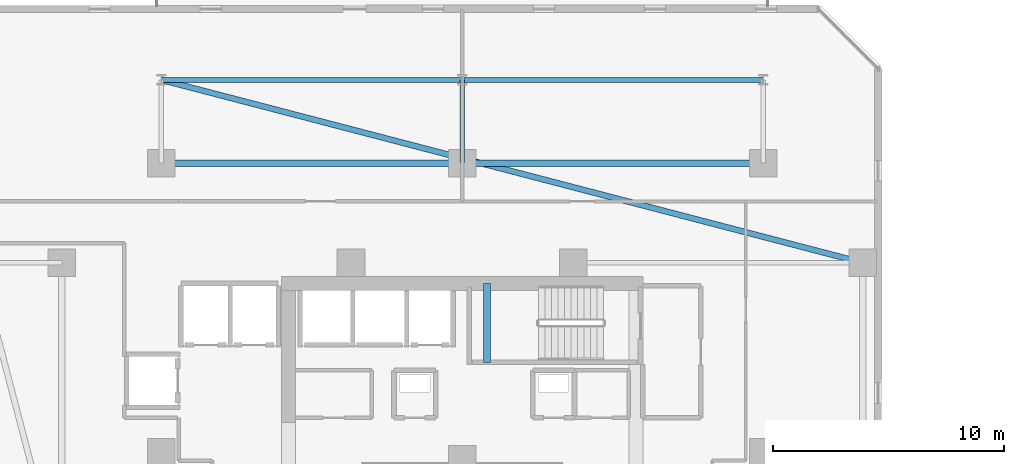
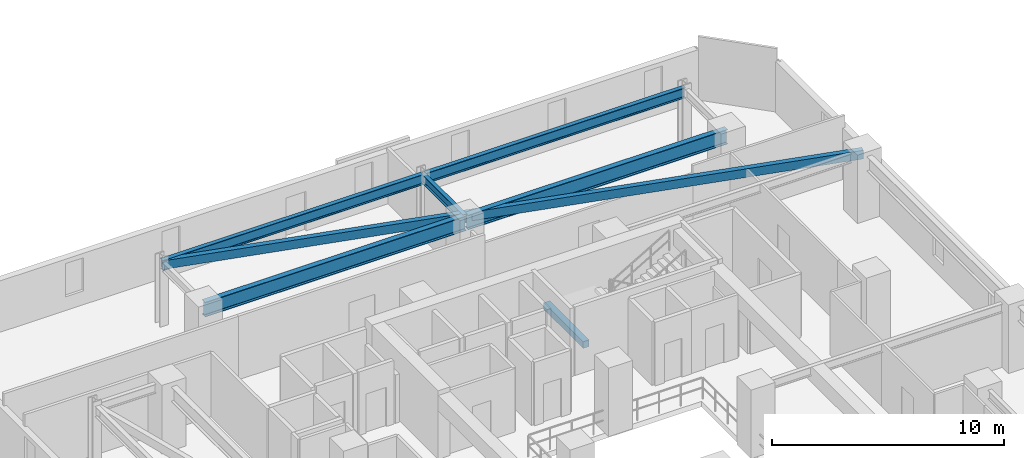
# One storey, part 8 of 33: 7 beams.
"""IFC4 building model written with IfcOpenShell, lengths in metres."""

import ifcopenshell
import ifcopenshell.guid

model = None  # the IFC model being written
_history = None  # IfcOwnerHistory: only IFC2X3 demands one
_inside = {}  # id of a spatial element -> (the spatial element, [elements in it])
_under = {}  # id of a project, library or spatial element -> (it, [spatial elements below it])
_declared = {}  # id of a project -> (the project, [libraries it declares])
_typed = {}  # id of a type object -> (the type object, [elements of that type])
_made_of = {}  # id of a material, layer set ... -> (it, [elements and type objects made of it])


def new_model(schema):
    """Start an empty IFC model of exactly this schema.

    Asked for "IFC4X3", IfcOpenShell would pick the latest addendum, in which some entities
    have other attributes; the version numbers below select the first issue.
    IFC2X3 requires an IfcOwnerHistory on every rooted entity: one is made here for all.
    """
    global model, _history
    if schema == "IFC4X3":
        model = ifcopenshell.file(schema_version=(4, 3, 0, 0))
    else:
        model = ifcopenshell.file(schema=schema)
    _inside.clear()
    _under.clear()
    _declared.clear()
    _typed.clear()
    _made_of.clear()
    _history = None
    if model.schema == "IFC2X3":
        org = make("IfcOrganization", Name="unknown")
        user = make(
            "IfcPersonAndOrganization",
            ThePerson=make("IfcPerson", FamilyName="unknown"),
            TheOrganization=org,
        )
        app = make(
            "IfcApplication",
            ApplicationDeveloper=org,
            Version="unknown",
            ApplicationFullName="unknown",
            ApplicationIdentifier="unknown",
        )
        _history = make(
            "IfcOwnerHistory",
            OwningUser=user,
            OwningApplication=app,
            ChangeAction="ADDED",
            CreationDate=0,
        )
    return model


def make(cls, **values):
    """One entity of the class cls with the attributes given. An attribute that is None is left unset."""
    return model.create_entity(
        cls, **{name: value for name, value in values.items() if value is not None}
    )


def rooted(cls, **values):
    """An entity with a GlobalId (a new one), such as an element, a storey or a relation."""
    return make(cls, GlobalId=ifcopenshell.guid.new(), OwnerHistory=_history, **values)


def si_unit(unit_type, name, prefix=None):
    """IfcSIUnit, for example si_unit("LENGTHUNIT", "METRE", prefix="MILLI")."""
    return make("IfcSIUnit", UnitType=unit_type, Prefix=prefix, Name=name)


def assignment(units):
    """IfcUnitAssignment: the units of a project."""
    return None if units is None else make("IfcUnitAssignment", Units=units)


def point(xyz):
    """IfcCartesianPoint."""
    return None if xyz is None else make("IfcCartesianPoint", Coordinates=xyz)


def direction(xyz):
    """IfcDirection."""
    return None if xyz is None else make("IfcDirection", DirectionRatios=xyz)


def frame(location, z_axis=None, x_axis=None):
    """IfcAxis2Placement3D, a coordinate frame: its origin and axes. An axis left out is left unset."""
    return make(
        "IfcAxis2Placement3D",
        Location=point(location),
        Axis=direction(z_axis),
        RefDirection=direction(x_axis),
    )


def frame_2d(location, x_axis=None):
    """IfcAxis2Placement2D, a coordinate frame in the plane: its origin and x axis."""
    return make(
        "IfcAxis2Placement2D", Location=point(location), RefDirection=direction(x_axis)
    )


def origin():
    """The frame at (0, 0, 0) with its axes left unset."""
    return frame((0.0, 0.0, 0.0))


def origin_2d():
    """The frame at (0, 0) in the plane with its x axis left unset."""
    return frame_2d((0.0, 0.0))


def place(relative_to, where):
    """IfcLocalPlacement: puts the frame where relative to a parent placement (None: the world)."""
    return make(
        "IfcLocalPlacement", PlacementRelTo=relative_to, RelativePlacement=where
    )


def context(
    kind, dimensions, precision=None, world=None, true_north=None, identifier=None
):
    """IfcGeometricRepresentationContext, for example the 3D "Model" context."""
    return make(
        "IfcGeometricRepresentationContext",
        ContextIdentifier=identifier,
        ContextType=kind,
        CoordinateSpaceDimension=dimensions,
        Precision=precision,
        WorldCoordinateSystem=world,
        TrueNorth=true_north,
    )


def subcontext(parent, identifier, kind, view, scale=None):
    """IfcGeometricRepresentationSubContext, for example "Body" below "Model"."""
    return make(
        "IfcGeometricRepresentationSubContext",
        ContextIdentifier=identifier,
        ContextType=kind,
        ParentContext=parent,
        TargetScale=scale,
        TargetView=view,
    )


def project(units=None, contexts=None):
    """IfcProject with its units and contexts."""
    return rooted(
        "IfcProject",
        Name="project",
        RepresentationContexts=contexts,
        UnitsInContext=assignment(units),
    )


def spatial(cls, under=None, at=None, **own):
    """A site, building, storey or space (cls), placed at a placement, below another one or the project."""
    s = rooted(cls, ObjectPlacement=at, **own)
    if under is not None:
        _under.setdefault(under.id(), (under, []))[1].append(s)
    return s


def profile(cls, at=None, kind="AREA", **sizes):
    """A parametric profile (cls). Its sizes go by their IFC names, for example OverallWidth=200.0."""
    return make(cls, ProfileType=kind, Position=at, **sizes)


def rectangle(**sizes):
    """IfcRectangleProfileDef."""
    return profile("IfcRectangleProfileDef", **sizes)


def hollow_rectangle(**sizes):
    """IfcRectangleHollowProfileDef."""
    return profile("IfcRectangleHollowProfileDef", **sizes)


def i_section(**sizes):
    """IfcIShapeProfileDef."""
    return profile("IfcIShapeProfileDef", **sizes)


def extrude(swept, where, along, depth):
    """IfcExtrudedAreaSolid: the profile swept, set in the frame where, extruded along a direction by depth."""
    return make(
        "IfcExtrudedAreaSolid",
        SweptArea=swept,
        Position=where,
        ExtrudedDirection=direction(along),
        Depth=depth,
    )


def shape(context_of_items, identifier, shape_type, items):
    """IfcShapeRepresentation: the items that make up one representation, for example the "Body"."""
    return make(
        "IfcShapeRepresentation",
        ContextOfItems=context_of_items,
        RepresentationIdentifier=identifier,
        RepresentationType=shape_type,
        Items=items,
    )


def material(Name=None, Category=None):
    """IfcMaterial."""
    return make("IfcMaterial", Name=Name, Category=Category)


def material_profile(
    of_material, cross_section, Name=None, Category=None, Priority=None
):
    """IfcMaterialProfile: a cross section and its material."""
    return make(
        "IfcMaterialProfile",
        Name=Name,
        Material=of_material,
        Profile=cross_section,
        Priority=Priority,
        Category=Category,
    )


def profile_set(profiles, Name=None, composite=None):
    """IfcMaterialProfileSet."""
    return make(
        "IfcMaterialProfileSet",
        Name=Name,
        MaterialProfiles=profiles,
        CompositeProfile=composite,
    )


def made_of(thing, what):
    """Note that an element or type object is made of a material, layer set ...; save() writes the relation."""
    if what is not None:
        _made_of.setdefault(what.id(), (what, []))[1].append(thing)
    return thing


def type_object(cls, material=None, **own):
    """A type object (cls), such as IfcWallType, which elements share."""
    return made_of(rooted(cls, **own), material)


def element(
    cls,
    number,
    at=None,
    inside=None,
    cuts=None,
    type_object=None,
    material=None,
    context=None,
    identifier="Body",
    shape_type=None,
    held_by="IfcProductDefinitionShape",
    body=None,
    shapes=None,
    **own,
):
    """One element of the class cls, such as IfcWall. Its Tag is "e" and its number.

    at: its placement. inside: the storey or other place that contains it. cuts: it is an
    opening in that element (IfcRelVoidsElement). A single representation is given by context,
    identifier, shape_type and body (its items); several are given by shapes. held_by: the class
    of the entity that holds the representations. save() writes the other relations.
    """
    e = rooted(cls, Tag="e%d" % number, ObjectPlacement=at, **own)
    if body is not None:
        shapes = [shape(context, identifier, shape_type, body)]
    if shapes is not None:
        e.Representation = make(held_by, Representations=shapes)
    if inside is not None:
        _inside.setdefault(inside.id(), (inside, []))[1].append(e)
    if cuts is not None:
        rooted(
            "IfcRelVoidsElement", RelatingBuildingElement=cuts, RelatedOpeningElement=e
        )
    if type_object is not None:
        _typed.setdefault(type_object.id(), (type_object, []))[1].append(e)
    return made_of(e, material)


def aggregate(whole, parts):
    """IfcRelAggregates: a whole, such as a stair, and the parts it consists of."""
    return rooted("IfcRelAggregates", RelatingObject=whole, RelatedObjects=parts)


def save(model, path):
    """Write the relations noted so far, then the file.

    IfcRelAggregates (storeys below a building ...), IfcRelContainedInSpatialStructure (elements
    in a storey), IfcRelDefinesByType, IfcRelAssociatesMaterial and IfcRelDeclares: one each for
    every whole, place, type object, material and project.
    """
    for whole, parts in _under.values():
        aggregate(whole, parts)
    for where, things in _inside.values():
        rooted(
            "IfcRelContainedInSpatialStructure",
            RelatedElements=things,
            RelatingStructure=where,
        )
    for kind, things in _typed.values():
        rooted("IfcRelDefinesByType", RelatedObjects=things, RelatingType=kind)
    for what, things in _made_of.values():
        rooted("IfcRelAssociatesMaterial", RelatedObjects=things, RelatingMaterial=what)
    for by, libraries in _declared.values():
        rooted("IfcRelDeclares", RelatingContext=by, RelatedDefinitions=libraries)
    model.write(path)


model = new_model("IFC4")

# Units and contexts
model_context = context("Model", 3, precision=1e-05, world=origin(), true_north=direction((0.0, 1.0)))
body_context = subcontext(model_context, "Body", "Model", "MODEL_VIEW")
ifc_project = project(units=[si_unit("LENGTHUNIT", "METRE"), si_unit("AREAUNIT", "SQUARE_METRE"), si_unit("VOLUMEUNIT", "CUBIC_METRE"), si_unit("PLANEANGLEUNIT", "RADIAN"), si_unit("MASSUNIT", "GRAM", prefix="KILO")], contexts=[model_context])

# Site, building, storey
site_placement = place(None, origin())
site = spatial("IfcSite", under=ifc_project, at=site_placement, CompositionType="ELEMENT")
building_placement = place(site_placement, origin())
building = spatial("IfcBuilding", under=site, at=building_placement, Name="Thornwick Lancets Civic Towers", CompositionType="ELEMENT")
storey_placement = place(building_placement, frame((0.0, 0.0, 101.699951171875)))
storey = spatial("IfcBuildingStorey", under=building, at=storey_placement, Name="L26", CompositionType="ELEMENT", Elevation=101.699951171875)

# Beams
ifc_material_1 = material(Name="Steel S355JR", Category="steel")
ifc_material_profile_1 = material_profile(ifc_material_1, i_section(OverallWidth=0.2119140625, OverallDepth=0.54443359375, WebThickness=0.0126953125, FlangeThickness=0.021240234375, FilletRadius=0.0126953125, at=origin_2d()), Name="UKB 533x210x122")
ifc_profile_set_1 = profile_set([ifc_material_profile_1], Name="Steel S355JR")
beam_type_1 = type_object("IfcBeamType", Name="BM_EDGE_533_122", PredefinedType="SPANDREL", material=ifc_profile_set_1)
beam_1_placement = place(storey_placement, frame((12.5, 47.89990234375, 3.087890625), z_axis=(1.0, 0.0, 0.0), x_axis=(0.0, 1.0, 0.0)))
element("IfcBeam", 1, at=beam_1_placement, inside=storey, type_object=beam_type_1, Name="BM-EDGE-L26-A-S2-1", PredefinedType="SPANDREL", context=body_context, shape_type="SweptSolid", body=[
    extrude(i_section(OverallWidth=0.2119140625, OverallDepth=0.54443359375, WebThickness=0.0126953125, FlangeThickness=0.021240234375, FilletRadius=0.0126953125, at=origin_2d()), origin(), (0.0, 0.0, 1.0), 13.0),
])
beam_2_placement = place(storey_placement, frame((25.580078125, 47.89990234375, 3.087890625), z_axis=(1.0, 0.0, 0.0), x_axis=(0.0, 1.0, 0.0)))
element("IfcBeam", 2, at=beam_2_placement, inside=storey, type_object=beam_type_1, Name="BM-EDGE-L26-A-S2-2", PredefinedType="SPANDREL", context=body_context, shape_type="SweptSolid", body=[
    extrude(i_section(OverallWidth=0.2119140625, OverallDepth=0.54443359375, WebThickness=0.0126953125, FlangeThickness=0.021240234375, FilletRadius=0.0126953125, at=origin_2d()), origin(), (0.0, 0.0, 1.0), 12.919921875),
])
ifc_material_profile_2 = material_profile(ifc_material_1, i_section(OverallWidth=0.26806640625, OverallDepth=0.769775390625, WebThickness=0.015625, FlangeThickness=0.025390625, FilletRadius=0.0166015625, at=origin_2d()), Name="UKB 762x267x197")
ifc_profile_set_2 = profile_set([ifc_material_profile_2], Name="Steel S355JR")
beam_type_2 = type_object("IfcBeamType", Name="BM_GIRD_762_197", PredefinedType="BEAM", material=ifc_profile_set_2)
beam_3_placement = place(storey_placement, frame((12.5, 44.300048828125, 2.97509765625), z_axis=(1.0, 0.0, 0.0), x_axis=(0.0, 1.0, 0.0)))
element("IfcBeam", 3, at=beam_3_placement, inside=storey, type_object=beam_type_2, Name="BM-SPINE-L26-A-6-7", PredefinedType="BEAM", context=body_context, shape_type="SweptSolid", body=[
    extrude(i_section(OverallWidth=0.26806640625, OverallDepth=0.769775390625, WebThickness=0.015625, FlangeThickness=0.025390625, FilletRadius=0.0166015625, at=origin_2d()), origin(), (0.0, 0.0, 1.0), 13.0),
])
beam_4_placement = place(storey_placement, frame((25.580078125, 44.300048828125, 2.97509765625), z_axis=(1.0, 0.0, 0.0), x_axis=(0.0, 1.0, 0.0)))
element("IfcBeam", 4, at=beam_4_placement, inside=storey, type_object=beam_type_2, Name="BM-SPINE-L26-A-7-8", PredefinedType="BEAM", context=body_context, shape_type="SweptSolid", body=[
    extrude(i_section(OverallWidth=0.26806640625, OverallDepth=0.769775390625, WebThickness=0.015625, FlangeThickness=0.025390625, FilletRadius=0.0166015625, at=origin_2d()), origin(), (0.0, 0.0, 1.0), 12.919921875),
])
ifc_material_profile_3 = material_profile(ifc_material_1, i_section(OverallWidth=0.19287109375, OverallDepth=0.46728515625, WebThickness=0.011474609375, FlangeThickness=0.01953125, FilletRadius=0.01025390625, at=origin_2d()), Name="UKB 457x191x98")
ifc_profile_set_3 = profile_set([ifc_material_profile_3], Name="Steel S355JR")
beam_type_3 = type_object("IfcBeamType", Name="BM_JOIST_457_98", PredefinedType="JOIST", material=ifc_profile_set_3)
beam_5_placement = place(storey_placement, frame((25.5, 44.300048828125, 3.12646484375), z_axis=(0.0, 1.0, 0.0), x_axis=(-1.0, 0.0, 0.0)))
element("IfcBeam", 5, at=beam_5_placement, inside=storey, type_object=beam_type_3, Name="BM-RAD-L26-A08", PredefinedType="JOIST", context=body_context, shape_type="SweptSolid", body=[
    extrude(i_section(OverallWidth=0.19287109375, OverallDepth=0.46728515625, WebThickness=0.011474609375, FlangeThickness=0.01953125, FilletRadius=0.01025390625, at=origin_2d()), origin(), (0.0, 0.0, 1.0), 3.599853515625),
])
ifc_material_profile_4 = material_profile(ifc_material_1, hollow_rectangle(XDim=0.25, YDim=0.449951171875, WallThickness=0.01611328125, at=origin_2d()), Name="RHS 450x250x16")
ifc_profile_set_4 = profile_set([ifc_material_profile_4], Name="Steel S355JR")
beam_type_4 = type_object("IfcBeamType", Name="BM_RING_RHS450", PredefinedType="BEAM", material=ifc_profile_set_4)
beam_6_placement = place(storey_placement, frame((42.800048828125, 40.0, 3.135009765625), z_axis=(-0.967652038286, 0.252288590311, 0.0), x_axis=(-0.252288590311, -0.967652038286, 0.0)))
element("IfcBeam", 6, at=beam_6_placement, inside=storey, type_object=beam_type_4, Name="BM-CHAMF-L26-A-C1", PredefinedType="BEAM", context=body_context, shape_type="SweptSolid", body=[
    extrude(hollow_rectangle(XDim=0.25, YDim=0.449951171875, WallThickness=0.01611328125, at=origin_2d()), origin(), (0.0, 0.0, 1.0), 31.31298828125),
])
ifc_material_2 = material(Name="Concrete C40/50", Category="concrete")
ifc_material_profile_5 = material_profile(ifc_material_2, rectangle(XDim=0.300048828125, YDim=0.35009765625, at=origin_2d()), Name="RC 300x350")
ifc_profile_set_5 = profile_set([ifc_material_profile_5], Name="Concrete C40/50")
beam_type_5 = type_object("IfcBeamType", Name="BM_STAIR_LDG", PredefinedType="BEAM", material=ifc_profile_set_5)
beam_7_placement = place(storey_placement, frame((26.56494140625, 39.10009765625, 1.3779296875), z_axis=(0.0, -1.0, 0.0), x_axis=(1.0, 0.0, 0.0)))
element("IfcBeam", 7, at=beam_7_placement, inside=storey, type_object=beam_type_5, Name="L26 ST-A2 Landing Support Beam 1", PredefinedType="BEAM", context=body_context, shape_type="SweptSolid", body=[
    extrude(rectangle(XDim=0.300048828125, YDim=0.35009765625, at=origin_2d()), origin(), (0.0, 0.0, 1.0), 3.400146484375),
])

save(model, "model.ifc")
